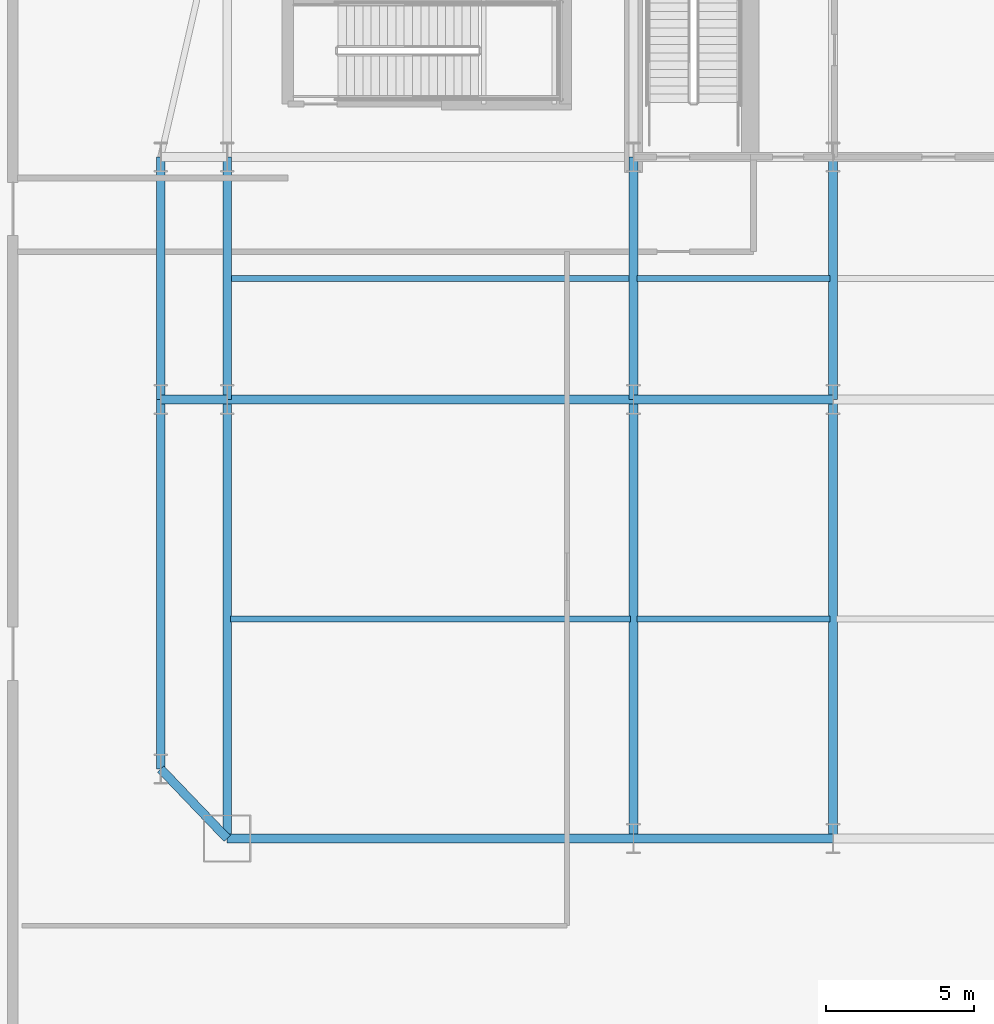
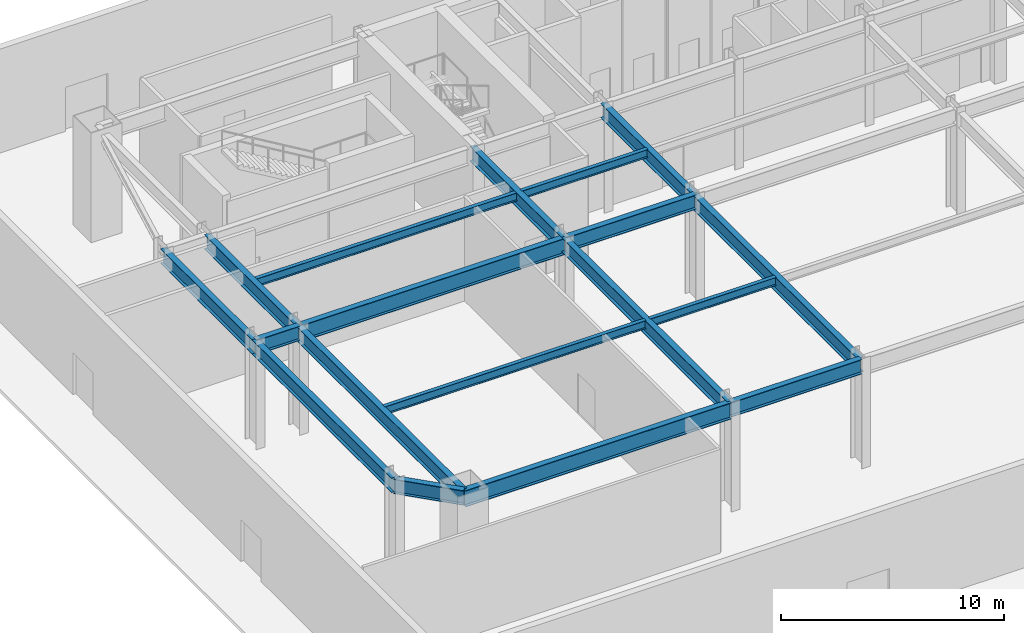
# One storey, part 3 of 30: 18 beams.
"""IFC4 building model written with IfcOpenShell, lengths in metres."""

from ifc_helpers import new_model, si_unit, direction, frame, origin, origin_2d, place, context, subcontext, project, spatial, i_section, extrude, material, material_profile, profile_set, type_object, element, save


model = new_model("IFC4")

# Units and contexts
model_context = context("Model", 3, precision=1e-05, world=origin(), true_north=direction((0.0, 1.0)))
body_context = subcontext(model_context, "Body", "Model", "MODEL_VIEW")
ifc_project = project(units=[si_unit("LENGTHUNIT", "METRE"), si_unit("AREAUNIT", "SQUARE_METRE"), si_unit("VOLUMEUNIT", "CUBIC_METRE"), si_unit("PLANEANGLEUNIT", "RADIAN"), si_unit("MASSUNIT", "GRAM", prefix="KILO")], contexts=[model_context])

# Site, building, storey
site_placement = place(None, origin())
site = spatial("IfcSite", under=ifc_project, at=site_placement, CompositionType="ELEMENT")
building_placement = place(site_placement, origin())
building = spatial("IfcBuilding", under=site, at=building_placement, Name="Haevon Station Towers", CompositionType="ELEMENT")
storey_placement = place(building_placement, origin())
storey = spatial("IfcBuildingStorey", under=building, at=storey_placement, Name="L00", CompositionType="ELEMENT", Elevation=0.0)

# Beams
ifc_material = material(Name="Steel S355", Category="steel")
ifc_material_profile_1 = material_profile(ifc_material, i_section(OverallWidth=0.199951171875, OverallDepth=0.449951171875, WebThickness=0.009033203125, FlangeThickness=0.013916015625, at=origin_2d()), Name="H-450x200x9x14")
ifc_profile_set_1 = profile_set([ifc_material_profile_1], Name="Steel S355")
beam_type_1 = type_object("IfcBeamType", Name="BM-J450", PredefinedType="JOIST", material=ifc_profile_set_1)
beam_1_placement = place(storey_placement, frame((10.360107421875, 22.574951171875, 5.47509765625), z_axis=(1.0, 0.0, 0.0), x_axis=(0.0, 1.0, 0.0)))
element("IfcBeam", 1, at=beam_1_placement, inside=storey, type_object=beam_type_1, Name="BM-T1J-L00-01-01", PredefinedType="JOIST", context=body_context, shape_type="SweptSolid", body=[
    extrude(i_section(OverallWidth=0.199951171875, OverallDepth=0.449951171875, WebThickness=0.009033203125, FlangeThickness=0.013916015625, at=origin_2d()), origin(), (0.0, 0.0, 1.0), 13.52978515625),
])
beam_2_placement = place(storey_placement, frame((24.110107421875, 22.574951171875, 5.47509765625), z_axis=(1.0, 0.0, 0.0), x_axis=(0.0, 1.0, 0.0)))
element("IfcBeam", 2, at=beam_2_placement, inside=storey, type_object=beam_type_1, Name="BM-T1J-L00-01-02", PredefinedType="JOIST", context=body_context, shape_type="SweptSolid", body=[
    extrude(i_section(OverallWidth=0.199951171875, OverallDepth=0.449951171875, WebThickness=0.009033203125, FlangeThickness=0.013916015625, at=origin_2d()), origin(), (0.0, 0.0, 1.0), 6.52978515625),
])
beam_3_placement = place(storey_placement, frame((10.360107421875, 34.10009765625, 5.47509765625), z_axis=(1.0, 0.0, 0.0), x_axis=(0.0, 1.0, 0.0)))
element("IfcBeam", 3, at=beam_3_placement, inside=storey, type_object=beam_type_1, Name="BM-T1J-L00-02-01", PredefinedType="JOIST", context=body_context, shape_type="SweptSolid", body=[
    extrude(i_section(OverallWidth=0.199951171875, OverallDepth=0.449951171875, WebThickness=0.009033203125, FlangeThickness=0.013916015625, at=origin_2d()), origin(), (0.0, 0.0, 1.0), 13.52978515625),
])
beam_4_placement = place(storey_placement, frame((24.110107421875, 34.10009765625, 5.47509765625), z_axis=(1.0, 0.0, 0.0), x_axis=(0.0, 1.0, 0.0)))
element("IfcBeam", 4, at=beam_4_placement, inside=storey, type_object=beam_type_1, Name="BM-T1J-L00-02-02", PredefinedType="JOIST", context=body_context, shape_type="SweptSolid", body=[
    extrude(i_section(OverallWidth=0.199951171875, OverallDepth=0.449951171875, WebThickness=0.009033203125, FlangeThickness=0.013916015625, at=origin_2d()), origin(), (0.0, 0.0, 1.0), 6.52978515625),
])
ifc_material_profile_2 = material_profile(ifc_material, i_section(OverallWidth=0.300048828125, OverallDepth=0.800048828125, WebThickness=0.013916015625, FlangeThickness=0.02587890625, at=origin_2d()), Name="H-800x300x14x26")
ifc_profile_set_2 = profile_set([ifc_material_profile_2], Name="Steel S355")
beam_type_2 = type_object("IfcBeamType", Name="BM-PG800", PredefinedType="BEAM", material=ifc_profile_set_2)
for number, where, z_axis, x_axis, name in (
    (5, (24.0, 15.14990234375, 5.300048828125), (1.0, 0.0, 0.0), (0.0, 1.0, 0.0), "BM-T1X-L00-01-02"),
    (6, (24.0, 30.0, 5.300048828125), (1.0, 0.0, 0.0), (0.0, 1.0, 0.0), "BM-T1X-L00-02-02"),
):
    element("IfcBeam", number, at=place(storey_placement, frame(where, z_axis=z_axis, x_axis=x_axis)), inside=storey, type_object=beam_type_2, Name=name, PredefinedType="BEAM", context=body_context, shape_type="SweptSolid", body=[
        extrude(i_section(OverallWidth=0.300048828125, OverallDepth=0.800048828125, WebThickness=0.013916015625, FlangeThickness=0.02587890625, at=origin_2d()), origin(), (0.0, 0.0, 1.0), 6.75),
    ])
beam_5_placement = place(storey_placement, frame((10.25, 15.14990234375, 5.300048828125), z_axis=(0.0, 1.0, 0.0), x_axis=(-1.0, 0.0, 0.0)))
element("IfcBeam", 7, at=beam_5_placement, inside=storey, type_object=beam_type_2, Name="BM-T1Y-L00-01-01", PredefinedType="BEAM", context=body_context, shape_type="SweptSolid", body=[
    extrude(i_section(OverallWidth=0.300048828125, OverallDepth=0.800048828125, WebThickness=0.013916015625, FlangeThickness=0.02587890625, at=origin_2d()), origin(), (0.0, 0.0, 1.0), 14.85009765625),
])
beam_6_placement = place(storey_placement, frame((10.25, 30.0, 5.300048828125), z_axis=(0.0, 1.0, 0.0), x_axis=(-1.0, 0.0, 0.0)))
element("IfcBeam", 8, at=beam_6_placement, inside=storey, type_object=beam_type_2, Name="BM-T1Y-L00-01-02", PredefinedType="BEAM", context=body_context, shape_type="SweptSolid", body=[
    extrude(i_section(OverallWidth=0.300048828125, OverallDepth=0.800048828125, WebThickness=0.013916015625, FlangeThickness=0.02587890625, at=origin_2d()), origin(), (0.0, 0.0, 1.0), 8.199951171875),
])
beam_7_placement = place(storey_placement, frame((24.0, 15.14990234375, 5.300048828125), z_axis=(0.0, 1.0, 0.0), x_axis=(-1.0, 0.0, 0.0)))
element("IfcBeam", 9, at=beam_7_placement, inside=storey, type_object=beam_type_2, Name="BM-T1Y-L00-02-01", PredefinedType="BEAM", context=body_context, shape_type="SweptSolid", body=[
    extrude(i_section(OverallWidth=0.300048828125, OverallDepth=0.800048828125, WebThickness=0.013916015625, FlangeThickness=0.02587890625, at=origin_2d()), origin(), (0.0, 0.0, 1.0), 14.85009765625),
])
beam_8_placement = place(storey_placement, frame((24.0, 30.0, 5.300048828125), z_axis=(0.0, 1.0, 0.0), x_axis=(-1.0, 0.0, 0.0)))
element("IfcBeam", 10, at=beam_8_placement, inside=storey, type_object=beam_type_2, Name="BM-T1Y-L00-02-02", PredefinedType="BEAM", context=body_context, shape_type="SweptSolid", body=[
    extrude(i_section(OverallWidth=0.300048828125, OverallDepth=0.800048828125, WebThickness=0.013916015625, FlangeThickness=0.02587890625, at=origin_2d()), origin(), (0.0, 0.0, 1.0), 8.199951171875),
])
beam_9_placement = place(storey_placement, frame((30.75, 15.14990234375, 5.300048828125), z_axis=(0.0, 1.0, 0.0), x_axis=(-1.0, 0.0, 0.0)))
element("IfcBeam", 11, at=beam_9_placement, inside=storey, type_object=beam_type_2, Name="BM-T1Y-L00-03-01", PredefinedType="BEAM", context=body_context, shape_type="SweptSolid", body=[
    extrude(i_section(OverallWidth=0.300048828125, OverallDepth=0.800048828125, WebThickness=0.013916015625, FlangeThickness=0.02587890625, at=origin_2d()), origin(), (0.0, 0.0, 1.0), 14.85009765625),
])
beam_10_placement = place(storey_placement, frame((30.75, 30.0, 5.300048828125), z_axis=(0.0, 1.0, 0.0), x_axis=(-1.0, 0.0, 0.0)))
element("IfcBeam", 12, at=beam_10_placement, inside=storey, type_object=beam_type_2, Name="BM-T1Y-L00-03-02", PredefinedType="BEAM", context=body_context, shape_type="SweptSolid", body=[
    extrude(i_section(OverallWidth=0.300048828125, OverallDepth=0.800048828125, WebThickness=0.013916015625, FlangeThickness=0.02587890625, at=origin_2d()), origin(), (0.0, 0.0, 1.0), 8.199951171875),
])
beam_11_placement = place(storey_placement, frame((8.0, 17.5, 5.300048828125), z_axis=(0.691556505419, -0.722322365577, 0.0), x_axis=(0.722322365577, 0.691556505419, 0.0)))
element("IfcBeam", 13, at=beam_11_placement, inside=storey, type_object=beam_type_2, Name="BM-PODW-L00-1", PredefinedType="BEAM", context=body_context, shape_type="SweptSolid", body=[
    extrude(i_section(OverallWidth=0.300048828125, OverallDepth=0.800048828125, WebThickness=0.013916015625, FlangeThickness=0.02587890625, at=origin_2d()), origin(), (0.0, 0.0, 1.0), 3.25341796875),
])
beam_12_placement = place(storey_placement, frame((8.0, 30.0, 5.300048828125), z_axis=(1.0, 0.0, 0.0), x_axis=(0.0, 1.0, 0.0)))
element("IfcBeam", 14, at=beam_12_placement, inside=storey, type_object=beam_type_2, Name="BM-PODW-L00-2", PredefinedType="BEAM", context=body_context, shape_type="SweptSolid", body=[
    extrude(i_section(OverallWidth=0.300048828125, OverallDepth=0.800048828125, WebThickness=0.013916015625, FlangeThickness=0.02587890625, at=origin_2d()), origin(), (0.0, 0.0, 1.0), 2.25),
])
beam_13_placement = place(storey_placement, frame((8.0, 17.5, 5.300048828125), z_axis=(0.0, 1.0, 0.0), x_axis=(-1.0, 0.0, 0.0)))
element("IfcBeam", 15, at=beam_13_placement, inside=storey, type_object=beam_type_2, Name="BM-PODNS-L00-W1", PredefinedType="BEAM", context=body_context, shape_type="SweptSolid", body=[
    extrude(i_section(OverallWidth=0.300048828125, OverallDepth=0.800048828125, WebThickness=0.013916015625, FlangeThickness=0.02587890625, at=origin_2d()), origin(), (0.0, 0.0, 1.0), 12.5),
])
beam_14_placement = place(storey_placement, frame((8.0, 30.0, 5.300048828125), z_axis=(0.0, 1.0, 0.0), x_axis=(-1.0, 0.0, 0.0)))
element("IfcBeam", 16, at=beam_14_placement, inside=storey, type_object=beam_type_2, Name="BM-PODNS-L00-W2", PredefinedType="BEAM", context=body_context, shape_type="SweptSolid", body=[
    extrude(i_section(OverallWidth=0.300048828125, OverallDepth=0.800048828125, WebThickness=0.013916015625, FlangeThickness=0.02587890625, at=origin_2d()), origin(), (0.0, 0.0, 1.0), 8.199951171875),
])
ifc_material_profile_3 = material_profile(ifc_material, i_section(OverallWidth=0.300048828125, OverallDepth=0.89990234375, WebThickness=0.01611328125, FlangeThickness=0.028076171875, at=origin_2d()), Name="H-900x300x16x28")
ifc_profile_set_3 = profile_set([ifc_material_profile_3], Name="Steel S355")
beam_type_3 = type_object("IfcBeamType", Name="BM-PG900", PredefinedType="BEAM", material=ifc_profile_set_3)
for number, where, z_axis, x_axis, name in (
    (17, (10.25, 15.14990234375, 5.25), (1.0, 0.0, 0.0), (0.0, 1.0, 0.0), "BM-T1X-L00-01-01"),
    (18, (10.25, 30.0, 5.25), (1.0, 0.0, 0.0), (0.0, 1.0, 0.0), "BM-T1X-L00-02-01"),
):
    element("IfcBeam", number, at=place(storey_placement, frame(where, z_axis=z_axis, x_axis=x_axis)), inside=storey, type_object=beam_type_3, Name=name, PredefinedType="BEAM", context=body_context, shape_type="SweptSolid", body=[
        extrude(i_section(OverallWidth=0.300048828125, OverallDepth=0.89990234375, WebThickness=0.01611328125, FlangeThickness=0.028076171875, at=origin_2d()), origin(), (0.0, 0.0, 1.0), 13.75),
    ])

save(model, "model.ifc")
